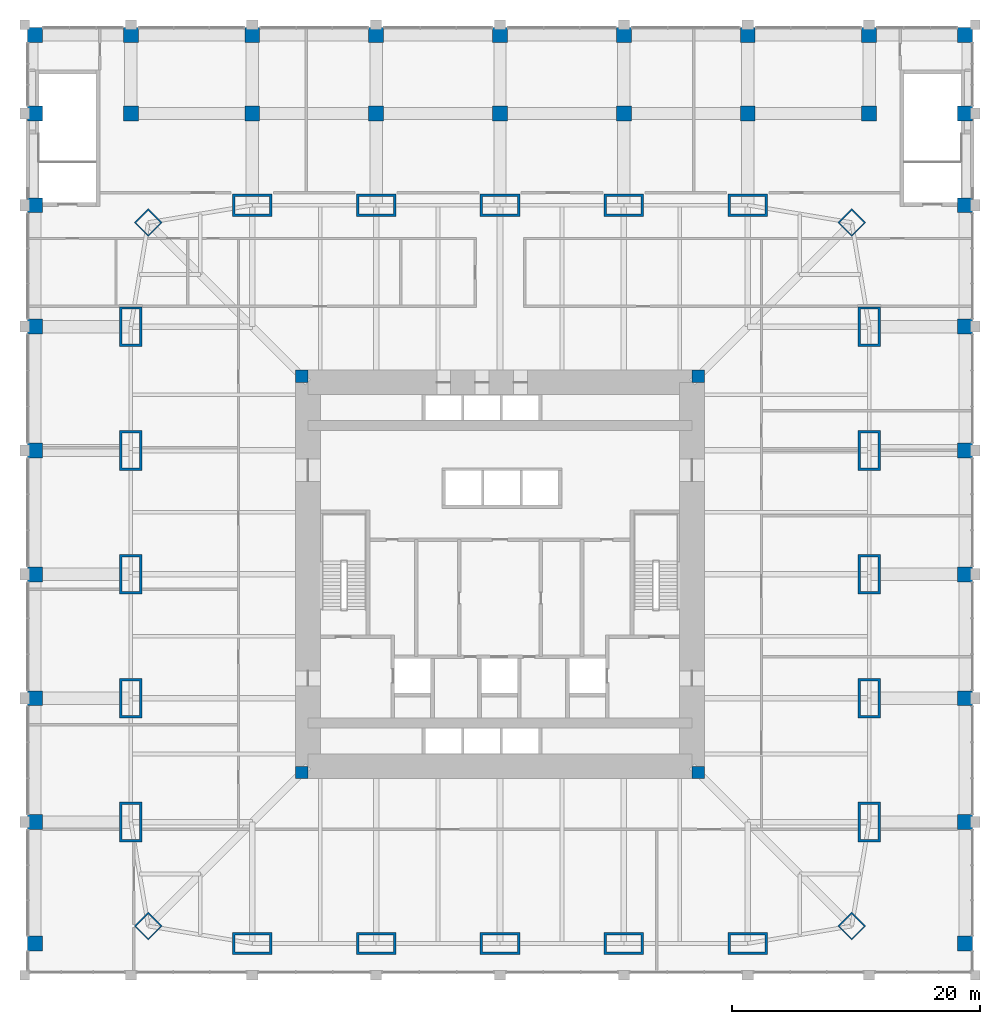
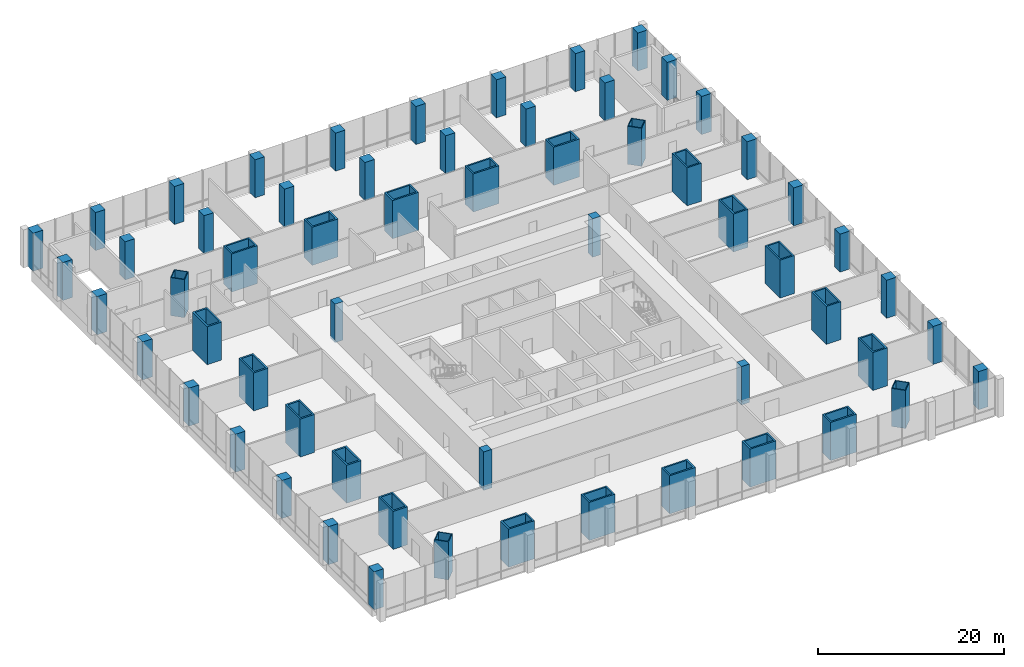
# One storey, part 1 of 22: 60 columns.
"""IFC4 building model written with IfcOpenShell, lengths in metres."""

from ifc_helpers import new_model, si_unit, direction, frame, origin, origin_2d, place, context, subcontext, project, spatial, rectangle, hollow_rectangle, extrude, material, material_profile, profile_set, type_object, element, save


model = new_model("IFC4")

# Units and contexts
model_context = context("Model", 3, precision=1e-05, world=origin(), true_north=direction((0.0, 1.0)))
body_context = subcontext(model_context, "Body", "Model", "MODEL_VIEW")
ifc_project = project(units=[si_unit("LENGTHUNIT", "METRE"), si_unit("AREAUNIT", "SQUARE_METRE"), si_unit("VOLUMEUNIT", "CUBIC_METRE"), si_unit("PLANEANGLEUNIT", "RADIAN"), si_unit("MASSUNIT", "GRAM", prefix="KILO")], contexts=[model_context])

# Site, building, storey
site_placement = place(None, origin())
site = spatial("IfcSite", under=ifc_project, at=site_placement, CompositionType="ELEMENT")
building_placement = place(site_placement, origin())
building = spatial("IfcBuilding", under=site, at=building_placement, Name="Khuree Lantern Residences", CompositionType="ELEMENT")
storey_placement = place(building_placement, frame((0.0, 0.0, 16.0)))
storey = spatial("IfcBuildingStorey", under=building, at=storey_placement, Name="L03", CompositionType="ELEMENT", Elevation=16.0)

# Columns
ifc_material_1 = material(Name="Steel S355 CFT welded box", Category="steel")
ifc_material_profile_1 = material_profile(ifc_material_1, hollow_rectangle(XDim=1.60009765625, YDim=1.60009765625, WallThickness=0.10009765625, at=origin_2d()), Name="WELDED BOX 1600X1600X100")
ifc_profile_set_1 = profile_set([ifc_material_profile_1], Name="Steel S355 CFT welded box")
column_type_1 = type_object("IfcColumnType", Name="CC1600 PERIMETER CORNER MEGA COLUMN WELDED BOX 1600X1600X100", PredefinedType="COLUMN", material=ifc_profile_set_1)
for number, where, z_axis, x_axis, name in (
    (1, (28.39404296875, 28.39404296875, 0.0), (0.0, 0.0, 1.0), (0.707106781187, -0.707106781187, 0.0), "Perimeter column NE"),
    (2, (28.39404296875, -28.39404296875, 0.0), (0.0, 0.0, 1.0), (0.707106781187, 0.707106781187, 0.0), "Perimeter column SE"),
    (3, (-28.39404296875, -28.39404296875, 0.0), (0.0, 0.0, 1.0), (0.707106781187, -0.707106781187, 0.0), "Perimeter column SW"),
    (4, (-28.39404296875, 28.39404296875, 0.0), (0.0, 0.0, 1.0), (0.707106781187, 0.707106781187, 0.0), "Perimeter column NW"),
):
    element("IfcColumn", number, at=place(storey_placement, frame(where, z_axis=z_axis, x_axis=x_axis)), inside=storey, type_object=column_type_1, Name=name, PredefinedType="COLUMN", context=body_context, shape_type="SweptSolid", body=[
        extrude(hollow_rectangle(XDim=1.60009765625, YDim=1.60009765625, WallThickness=0.10009765625, at=origin_2d()), origin(), (0.0, 0.0, 1.0), 5.0),
    ])
ifc_material_2 = material(Name="Concrete C70/85", Category="concrete")
ifc_material_profile_2 = material_profile(ifc_material_2, rectangle(XDim=1.0, YDim=1.0, at=origin_2d()), Name="RC 1000X1000")
ifc_profile_set_2 = profile_set([ifc_material_profile_2], Name="Concrete C70/85")
column_type_2 = type_object("IfcColumnType", Name="CP1000-C70 CORE CORNER PIER C70 RC 1000X1000", PredefinedType="COLUMN", material=ifc_profile_set_2)
for number, where, z_axis, x_axis, name in (
    (5, (16.0, 16.0, -0.300048828125), (0.0, 0.0, 1.0), (1.0, 0.0, 0.0), "Core corner pier NE"),
    (6, (-16.0, 16.0, -0.300048828125), (0.0, 0.0, 1.0), (1.0, 0.0, 0.0), "Core corner pier NW"),
    (7, (-16.0, -16.0, -0.300048828125), (0.0, 0.0, 1.0), (1.0, 0.0, 0.0), "Core corner pier SW"),
    (8, (16.0, -16.0, -0.300048828125), (0.0, 0.0, 1.0), (1.0, 0.0, 0.0), "Core corner pier SE"),
):
    element("IfcColumn", number, at=place(storey_placement, frame(where, z_axis=z_axis, x_axis=x_axis)), inside=storey, type_object=column_type_2, Name=name, PredefinedType="COLUMN", context=body_context, shape_type="SweptSolid", body=[
        extrude(rectangle(XDim=1.0, YDim=1.0, at=origin_2d()), origin(), (0.0, 0.0, 1.0), 5.050048828125),
    ])
ifc_material_profile_3 = material_profile(ifc_material_2, rectangle(XDim=1.199951171875, YDim=1.199951171875, at=origin_2d()), Name="RC 1200X1200")
ifc_profile_set_3 = profile_set([ifc_material_profile_3], Name="Concrete C70/85")
column_type_3 = type_object("IfcColumnType", Name="GC1 PODIUM COLUMN RC 1200X1200", PredefinedType="COLUMN", material=ifc_profile_set_3)
for number, where, z_axis, x_axis, name in (
    (9, (-37.550048828125, -29.800048828125, 0.0), (0.0, 0.0, 1.0), (1.0, 0.0, 0.0), "Column GC-17"),
    (10, (37.550048828125, -29.800048828125, 0.0), (0.0, 0.0, 1.0), (1.0, 0.0, 0.0), "Column GC-18"),
    (11, (-37.550048828125, -20.0, 0.0), (0.0, 0.0, 1.0), (1.0, 0.0, 0.0), "Column GC-19"),
    (12, (37.550048828125, -20.0, 0.0), (0.0, 0.0, 1.0), (1.0, 0.0, 0.0), "Column GC-20"),
    (13, (-37.550048828125, -10.0, 0.0), (0.0, 0.0, 1.0), (1.0, 0.0, 0.0), "Column GC-21"),
    (14, (37.550048828125, -10.0, 0.0), (0.0, 0.0, 1.0), (1.0, 0.0, 0.0), "Column GC-22"),
    (15, (-37.550048828125, 0.0, 0.0), (0.0, 0.0, 1.0), (1.0, 0.0, 0.0), "Column GC-23"),
    (16, (37.550048828125, 0.0, 0.0), (0.0, 0.0, 1.0), (1.0, 0.0, 0.0), "Column GC-24"),
    (17, (-37.550048828125, 10.0, 0.0), (0.0, 0.0, 1.0), (1.0, 0.0, 0.0), "Column GC-25"),
    (18, (37.550048828125, 10.0, 0.0), (0.0, 0.0, 1.0), (1.0, 0.0, 0.0), "Column GC-26"),
    (19, (-37.550048828125, 20.0, 0.0), (0.0, 0.0, 1.0), (1.0, 0.0, 0.0), "Column GC-27"),
    (20, (37.550048828125, 20.0, 0.0), (0.0, 0.0, 1.0), (1.0, 0.0, 0.0), "Column GC-28"),
    (21, (-37.550048828125, 29.800048828125, 0.0), (0.0, 0.0, 1.0), (1.0, 0.0, 0.0), "Column GC-29"),
    (22, (37.550048828125, 29.800048828125, 0.0), (0.0, 0.0, 1.0), (1.0, 0.0, 0.0), "Column GC-30"),
    (23, (-37.550048828125, 37.199951171875, 0.0), (0.0, 0.0, 1.0), (1.0, 0.0, 0.0), "Column GC-31"),
    (24, (-29.800048828125, 37.199951171875, 0.0), (0.0, 0.0, 1.0), (1.0, 0.0, 0.0), "Column GC-32"),
    (25, (-20.0, 37.199951171875, 0.0), (0.0, 0.0, 1.0), (1.0, 0.0, 0.0), "Column GC-33"),
    (26, (-10.0, 37.199951171875, 0.0), (0.0, 0.0, 1.0), (1.0, 0.0, 0.0), "Column GC-34"),
    (27, (0.0, 37.199951171875, 0.0), (0.0, 0.0, 1.0), (1.0, 0.0, 0.0), "Column GC-35"),
    (28, (10.0, 37.199951171875, 0.0), (0.0, 0.0, 1.0), (1.0, 0.0, 0.0), "Column GC-36"),
    (29, (20.0, 37.199951171875, 0.0), (0.0, 0.0, 1.0), (1.0, 0.0, 0.0), "Column GC-37"),
    (30, (29.800048828125, 37.199951171875, 0.0), (0.0, 0.0, 1.0), (1.0, 0.0, 0.0), "Column GC-38"),
    (31, (37.550048828125, 37.199951171875, 0.0), (0.0, 0.0, 1.0), (1.0, 0.0, 0.0), "Column GC-39"),
    (32, (-37.550048828125, 43.550048828125, 0.0), (0.0, 0.0, 1.0), (1.0, 0.0, 0.0), "Column GC-40"),
    (33, (-29.800048828125, 43.550048828125, 0.0), (0.0, 0.0, 1.0), (1.0, 0.0, 0.0), "Column GC-41"),
    (34, (-20.0, 43.550048828125, 0.0), (0.0, 0.0, 1.0), (1.0, 0.0, 0.0), "Column GC-42"),
    (35, (-10.0, 43.550048828125, 0.0), (0.0, 0.0, 1.0), (1.0, 0.0, 0.0), "Column GC-43"),
    (36, (0.0, 43.550048828125, 0.0), (0.0, 0.0, 1.0), (1.0, 0.0, 0.0), "Column GC-44"),
    (37, (10.0, 43.550048828125, 0.0), (0.0, 0.0, 1.0), (1.0, 0.0, 0.0), "Column GC-45"),
    (38, (20.0, 43.550048828125, 0.0), (0.0, 0.0, 1.0), (1.0, 0.0, 0.0), "Column GC-46"),
    (39, (29.800048828125, 43.550048828125, 0.0), (0.0, 0.0, 1.0), (1.0, 0.0, 0.0), "Column GC-47"),
    (40, (37.550048828125, 43.550048828125, 0.0), (0.0, 0.0, 1.0), (1.0, 0.0, 0.0), "Column GC-48"),
):
    element("IfcColumn", number, at=place(storey_placement, frame(where, z_axis=z_axis, x_axis=x_axis)), inside=storey, type_object=column_type_3, Name=name, PredefinedType="COLUMN", context=body_context, shape_type="SweptSolid", body=[
        extrude(rectangle(XDim=1.199951171875, YDim=1.199951171875, at=origin_2d()), origin(), (0.0, 0.0, 1.0), 5.0),
    ])
ifc_material_profile_4 = material_profile(ifc_material_1, hollow_rectangle(XDim=3.199951171875, YDim=1.800048828125, WallThickness=0.199951171875, at=origin_2d()), Name="WELDED BOX 3200X1800X200")
ifc_profile_set_4 = profile_set([ifc_material_profile_4], Name="Steel S355 CFT welded box")
column_type_4 = type_object("IfcColumnType", Name="SC1 PERIMETER MEGA COLUMN WELDED BOX 3200X1800X200", PredefinedType="COLUMN", material=ifc_profile_set_4)
for number, where, z_axis, x_axis, name in (
    (41, (-20.0, 29.800048828125, 0.0), (0.0, 0.0, 1.0), (1.0, 0.0, 0.0), "Perimeter column N1"),
    (42, (-10.0, 29.800048828125, 0.0), (0.0, 0.0, 1.0), (1.0, 0.0, 0.0), "Perimeter column N2"),
    (43, (0.0, 29.800048828125, 0.0), (0.0, 0.0, 1.0), (1.0, 0.0, 0.0), "Perimeter column N3"),
    (44, (10.0, 29.800048828125, 0.0), (0.0, 0.0, 1.0), (1.0, 0.0, 0.0), "Perimeter column N4"),
    (45, (20.0, 29.800048828125, 0.0), (0.0, 0.0, 1.0), (1.0, 0.0, 0.0), "Perimeter column N5"),
    (46, (29.800048828125, 20.0, 0.0), (0.0, 0.0, 1.0), (0.0, 1.0, 0.0), "Perimeter column E1"),
    (47, (29.800048828125, 10.0, 0.0), (0.0, 0.0, 1.0), (0.0, 1.0, 0.0), "Perimeter column E2"),
    (48, (29.800048828125, 0.0, 0.0), (0.0, 0.0, 1.0), (0.0, 1.0, 0.0), "Perimeter column E3"),
    (49, (29.800048828125, -10.0, 0.0), (0.0, 0.0, 1.0), (0.0, 1.0, 0.0), "Perimeter column E4"),
    (50, (29.800048828125, -20.0, 0.0), (0.0, 0.0, 1.0), (0.0, 1.0, 0.0), "Perimeter column E5"),
    (51, (20.0, -29.800048828125, 0.0), (0.0, 0.0, 1.0), (1.0, 0.0, 0.0), "Perimeter column S1"),
    (52, (10.0, -29.800048828125, 0.0), (0.0, 0.0, 1.0), (1.0, 0.0, 0.0), "Perimeter column S2"),
    (53, (0.0, -29.800048828125, 0.0), (0.0, 0.0, 1.0), (1.0, 0.0, 0.0), "Perimeter column S3"),
    (54, (-10.0, -29.800048828125, 0.0), (0.0, 0.0, 1.0), (1.0, 0.0, 0.0), "Perimeter column S4"),
    (55, (-20.0, -29.800048828125, 0.0), (0.0, 0.0, 1.0), (1.0, 0.0, 0.0), "Perimeter column S5"),
    (56, (-29.800048828125, -20.0, 0.0), (0.0, 0.0, 1.0), (0.0, 1.0, 0.0), "Perimeter column W1"),
    (57, (-29.800048828125, -10.0, 0.0), (0.0, 0.0, 1.0), (0.0, 1.0, 0.0), "Perimeter column W2"),
    (58, (-29.800048828125, 0.0, 0.0), (0.0, 0.0, 1.0), (0.0, 1.0, 0.0), "Perimeter column W3"),
    (59, (-29.800048828125, 10.0, 0.0), (0.0, 0.0, 1.0), (0.0, 1.0, 0.0), "Perimeter column W4"),
    (60, (-29.800048828125, 20.0, 0.0), (0.0, 0.0, 1.0), (0.0, 1.0, 0.0), "Perimeter column W5"),
):
    element("IfcColumn", number, at=place(storey_placement, frame(where, z_axis=z_axis, x_axis=x_axis)), inside=storey, type_object=column_type_4, Name=name, PredefinedType="COLUMN", context=body_context, shape_type="SweptSolid", body=[
        extrude(hollow_rectangle(XDim=3.199951171875, YDim=1.800048828125, WallThickness=0.199951171875, at=origin_2d()), origin(), (0.0, 0.0, 1.0), 5.0),
    ])

save(model, "model.ifc")
